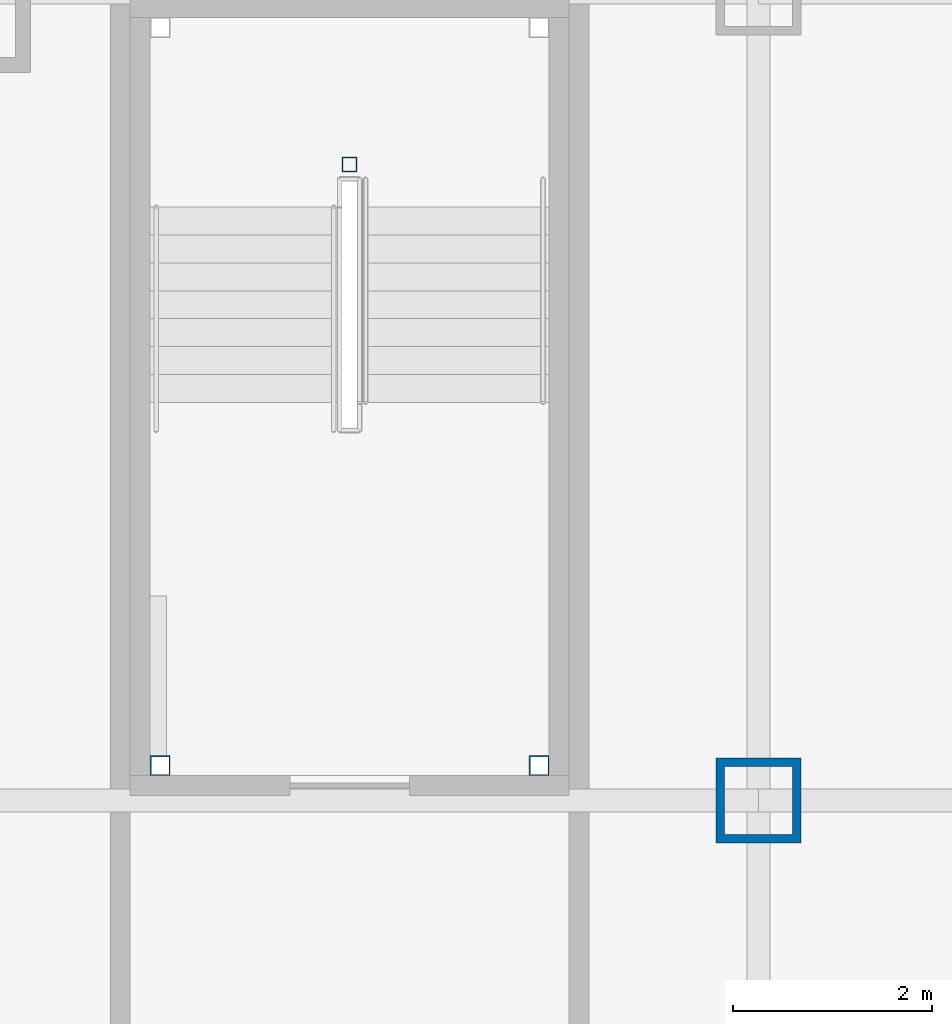
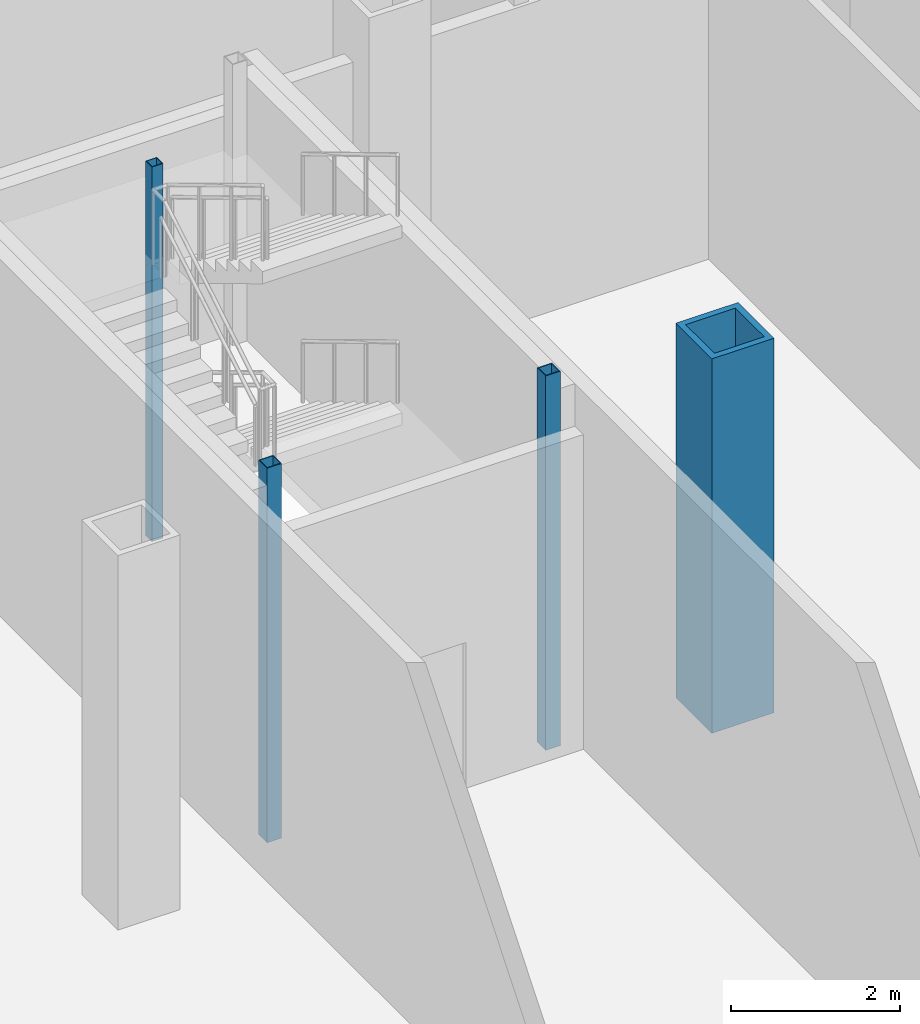
# One storey, part 4 of 30: 4 columns.
"""IFC4 building model written with IfcOpenShell, lengths in metres."""

from ifc_helpers import new_model, si_unit, direction, frame, origin, origin_2d, place, context, subcontext, project, spatial, hollow_rectangle, extrude, material, material_profile, profile_set, type_object, element, save


model = new_model("IFC4")

# Units and contexts
model_context = context("Model", 3, precision=1e-05, world=origin(), true_north=direction((0.0, 1.0)))
body_context = subcontext(model_context, "Body", "Model", "MODEL_VIEW")
ifc_project = project(units=[si_unit("LENGTHUNIT", "METRE"), si_unit("AREAUNIT", "SQUARE_METRE"), si_unit("VOLUMEUNIT", "CUBIC_METRE"), si_unit("PLANEANGLEUNIT", "RADIAN"), si_unit("MASSUNIT", "GRAM", prefix="KILO")], contexts=[model_context])

# Site, building, storey
site_placement = place(None, origin())
site = spatial("IfcSite", under=ifc_project, at=site_placement, CompositionType="ELEMENT")
building_placement = place(site_placement, origin())
building = spatial("IfcBuilding", under=site, at=building_placement, Name="Kopane Lantern Tower", CompositionType="ELEMENT")
storey_placement = place(building_placement, frame((0.0, 0.0, 6.0)))
storey = spatial("IfcBuildingStorey", under=building, at=storey_placement, Name="L01", CompositionType="ELEMENT", Elevation=6.0)

# Columns
ifc_material_1 = material(Name="Steel S355JR", Category="steel")
ifc_material_profile_1 = material_profile(ifc_material_1, hollow_rectangle(XDim=0.85009765625, YDim=0.85009765625, WallThickness=0.0849609375, at=origin_2d()), Name="BOX 850x850x85")
ifc_profile_set_1 = profile_set([ifc_material_profile_1], Name="Steel S355JR")
column_type_1 = type_object("IfcColumnType", Name="COLUMN BOX 850x850x85", PredefinedType="COLUMN", material=ifc_profile_set_1)
column_1_placement = place(storey_placement, frame((48.60009765625, 16.199951171875, 0.0), z_axis=(0.0, 0.0, 1.0), x_axis=(1.0, 0.0, 0.0)))
element("IfcColumn", 1, at=column_1_placement, inside=storey, type_object=column_type_1, Name="Column 8/D L01", PredefinedType="COLUMN", context=body_context, shape_type="SweptSolid", body=[
    extrude(hollow_rectangle(XDim=0.85009765625, YDim=0.85009765625, WallThickness=0.0849609375, at=origin_2d()), origin(), (0.0, 0.0, 1.0), 5.39990234375),
])
ifc_material_2 = material(Name="Steel S355JR", Category="steel")
ifc_material_profile_2 = material_profile(ifc_material_2, hollow_rectangle(XDim=0.14990234375, YDim=0.14990234375, WallThickness=0.010009765625, at=origin_2d()), Name="BOX 150x150x10")
ifc_profile_set_2 = profile_set([ifc_material_profile_2], Name="Steel S355JR")
column_type_2 = type_object("IfcColumnType", Name="STAIR NEWEL POST BOX 150x150x10", PredefinedType="COLUMN", material=ifc_profile_set_2)
column_2_placement = place(storey_placement, frame((44.5, 22.574951171875, 0.0), z_axis=(0.0, 0.0, 1.0), x_axis=(1.0, 0.0, 0.0)))
element("IfcColumn", 2, at=column_2_placement, inside=storey, type_object=column_type_2, Name="Stair newel post ST4 NEWEL L01", PredefinedType="COLUMN", context=body_context, shape_type="SweptSolid", body=[
    extrude(hollow_rectangle(XDim=0.14990234375, YDim=0.14990234375, WallThickness=0.010009765625, at=origin_2d()), origin(), (0.0, 0.0, 1.0), 5.39990234375),
])
ifc_material_3 = material(Name="Steel S355JR", Category="steel")
ifc_material_profile_3 = material_profile(ifc_material_3, hollow_rectangle(XDim=0.199951171875, YDim=0.199951171875, WallThickness=0.011962890625, at=origin_2d()), Name="BOX 200x200x12")
ifc_profile_set_3 = profile_set([ifc_material_profile_3], Name="Steel S355JR")
column_type_3 = type_object("IfcColumnType", Name="STAIR POST BOX 200x200x12", PredefinedType="COLUMN", material=ifc_profile_set_3)
for number, where, z_axis, x_axis, name in (
    (3, (42.60009765625, 16.550048828125, 0.0), (0.0, 0.0, 1.0), (1.0, 0.0, 0.0), "Stair post ST4 SW L01"),
    (4, (46.39990234375, 16.550048828125, 0.0), (0.0, 0.0, 1.0), (1.0, 0.0, 0.0), "Stair post ST4 SE L01"),
):
    element("IfcColumn", number, at=place(storey_placement, frame(where, z_axis=z_axis, x_axis=x_axis)), inside=storey, type_object=column_type_3, Name=name, PredefinedType="COLUMN", context=body_context, shape_type="SweptSolid", body=[
        extrude(hollow_rectangle(XDim=0.199951171875, YDim=0.199951171875, WallThickness=0.011962890625, at=origin_2d()), origin(), (0.0, 0.0, 1.0), 5.39990234375),
    ])

save(model, "model.ifc")
